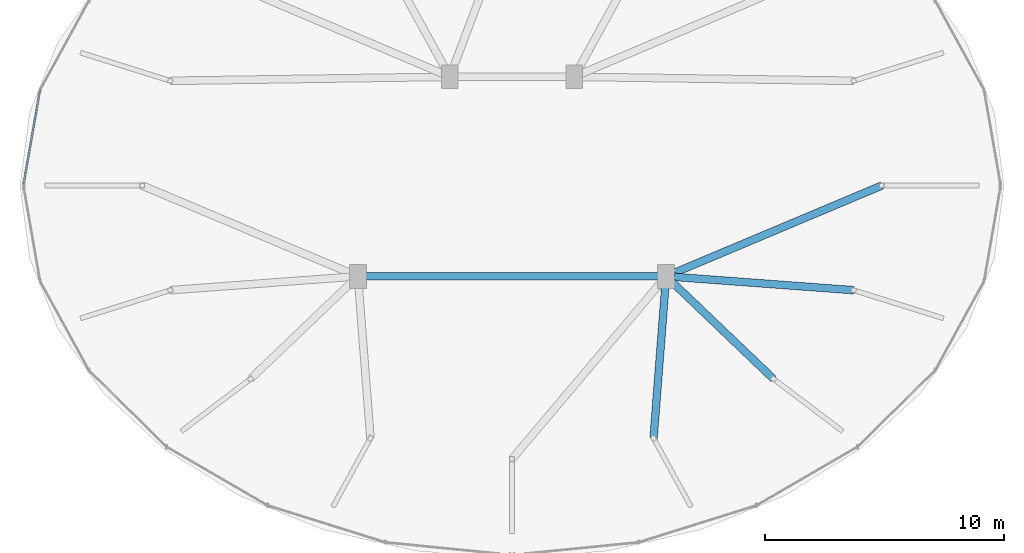
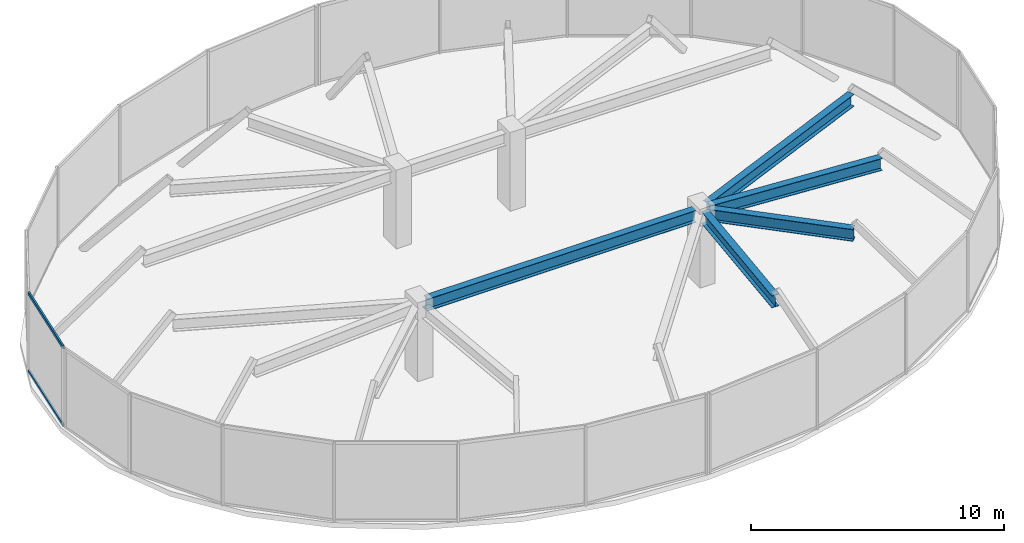
# One storey, part 6 of 14: 5 beams, 2 members, 1 element without a shape of its own.
"""IFC4 building model written with IfcOpenShell, lengths in metres."""

from ifc_helpers import new_model, si_unit, direction, frame, origin, origin_2d, place, context, subcontext, project, spatial, hollow_rectangle, i_section, extrude, material, material_profile, profile_set, type_object, element, aggregate, save


model = new_model("IFC4")

# Units and contexts
model_context = context("Model", 3, precision=1e-05, world=origin(), true_north=direction((0.0, 1.0)))
body_context = subcontext(model_context, "Body", "Model", "MODEL_VIEW")
ifc_project = project(units=[si_unit("LENGTHUNIT", "METRE"), si_unit("AREAUNIT", "SQUARE_METRE"), si_unit("VOLUMEUNIT", "CUBIC_METRE"), si_unit("PLANEANGLEUNIT", "RADIAN"), si_unit("MASSUNIT", "GRAM", prefix="KILO")], contexts=[model_context])

# Site, building, storey
site_placement = place(None, origin())
site = spatial("IfcSite", under=ifc_project, at=site_placement, CompositionType="ELEMENT")
building_placement = place(site_placement, origin())
building = spatial("IfcBuilding", under=site, at=building_placement, Name="Vorneva Point Tower", CompositionType="ELEMENT")
storey_placement = place(building_placement, frame((0.0, 0.0, 299.199951171875)))
storey = spatial("IfcBuildingStorey", under=building, at=storey_placement, Name="C02", CompositionType="ELEMENT", Elevation=299.199951171875)

# Beams
ifc_material_1 = material(Name="Steel S355", Category="steel")
ifc_material_profile_1 = material_profile(ifc_material_1, i_section(OverallWidth=0.320068359375, OverallDepth=0.580078125, WebThickness=0.011962890625, FlangeThickness=0.01708984375, at=origin_2d()), Name="60Sh1")
ifc_profile_set_1 = profile_set([ifc_material_profile_1], Name="Steel S355")
beam_type = type_object("IfcBeamType", Name="BM-GRD-60Sh1", PredefinedType="USERDEFINED", material=ifc_profile_set_1)
beam_1_placement = place(storey_placement, frame((53.48193359375, 26.0, 3.260009765625), z_axis=(-0.92173882954, -0.387811204218, 0.0), x_axis=(0.387811204218, -0.92173882954, 0.0)))
element("IfcBeam", 1, at=beam_1_placement, inside=storey, type_object=beam_type, Name="C02 Radial Primary Girder 01", ObjectType="GIRDER", PredefinedType="USERDEFINED", context=body_context, shape_type="SweptSolid", body=[
    extrude(i_section(OverallWidth=0.320068359375, OverallDepth=0.580078125, WebThickness=0.011962890625, FlangeThickness=0.01708984375, at=origin_2d()), origin(), (0.0, 0.0, 1.0), 9.458740234375),
])
beam_2_placement = place(storey_placement, frame((43.9248046875, 15.421630859375, 3.260009765625), z_axis=(0.077225466191, 0.997013654556, 0.0), x_axis=(-0.997013654556, 0.077225466191, 0.0)))
element("IfcBeam", 2, at=beam_2_placement, inside=storey, type_object=beam_type, Name="C02 Radial Primary Girder 14", ObjectType="GIRDER", PredefinedType="USERDEFINED", context=body_context, shape_type="SweptSolid", body=[
    extrude(i_section(OverallWidth=0.320068359375, OverallDepth=0.580078125, WebThickness=0.011962890625, FlangeThickness=0.01708984375, at=origin_2d()), origin(), (0.0, 0.0, 1.0), 6.458740234375),
])
beam_3_placement = place(storey_placement, frame((48.947509765625, 17.903564453125, 3.260009765625), z_axis=(-0.723094379214, 0.690749244479, 0.0), x_axis=(-0.690749244479, -0.723094379214, 0.0)))
element("IfcBeam", 3, at=beam_3_placement, inside=storey, type_object=beam_type, Name="C02 Radial Primary Girder 15", ObjectType="GIRDER", PredefinedType="USERDEFINED", context=body_context, shape_type="SweptSolid", body=[
    extrude(i_section(OverallWidth=0.320068359375, OverallDepth=0.580078125, WebThickness=0.011962890625, FlangeThickness=0.01708984375, at=origin_2d()), origin(), (0.0, 0.0, 1.0), 5.8798828125),
])
beam_4_placement = place(storey_placement, frame((52.303466796875, 21.618408203125, 3.260009765625), z_axis=(-0.997269964173, 0.073841848285, 0.0), x_axis=(-0.073841848285, -0.997269964173, 0.0)))
element("IfcBeam", 4, at=beam_4_placement, inside=storey, type_object=beam_type, Name="C02 Radial Primary Girder 16", ObjectType="GIRDER", PredefinedType="USERDEFINED", context=body_context, shape_type="SweptSolid", body=[
    extrude(i_section(OverallWidth=0.320068359375, OverallDepth=0.580078125, WebThickness=0.011962890625, FlangeThickness=0.01708984375, at=origin_2d()), origin(), (0.0, 0.0, 1.0), 7.534912109375),
])
beam_5_placement = place(storey_placement, frame((31.8701171875, 22.199951171875, 3.260009765625), z_axis=(1.0, 0.0, 0.0), x_axis=(0.0, 1.0, 0.0)))
element("IfcBeam", 5, at=beam_5_placement, inside=storey, type_object=beam_type, Name="C02 Core Tie Girder CT1", ObjectType="GIRDER", PredefinedType="USERDEFINED", context=body_context, shape_type="SweptSolid", body=[
    extrude(i_section(OverallWidth=0.320068359375, OverallDepth=0.580078125, WebThickness=0.011962890625, FlangeThickness=0.01708984375, at=origin_2d()), origin(), (0.0, 0.0, 1.0), 12.259765625),
])

# Curtain wall, members
ifc_material_2 = material(Name="Pale anodised aluminium", Category="aluminium")
curtain_wall_type = type_object("IfcCurtainWallType", Name="CW-CRN-SYS", PredefinedType="NOTDEFINED", material=ifc_material_2)
curtain_wall_placement = place(storey_placement, origin())
curtain_wall = element("IfcCurtainWall", 6, at=curtain_wall_placement, inside=storey, type_object=curtain_wall_type, Name="C02 Unitised Curtain Wall CW-C02-Q2", PredefinedType="NOTDEFINED")
ifc_material_profile_2 = material_profile(ifc_material_2, hollow_rectangle(XDim=0.074951171875, YDim=0.14990234375, WallThickness=0.00390625, at=origin_2d()), Name="AL-TRN 150x75x4")
ifc_profile_set_2 = profile_set([ifc_material_profile_2], Name="Pale anodised aluminium")
member_type = type_object("IfcMemberType", Name="CW-TRN-150", PredefinedType="USERDEFINED", material=ifc_profile_set_2)
member_1_placement = place(storey_placement, frame((18.244873046875, 30.001220703125, 0.02001953125), z_axis=(-0.17157407442, -0.985171222168, 0.0), x_axis=(0.985171222168, -0.17157407442, 0.0)))
member_1 = element("IfcMember", 7, at=member_1_placement, type_object=member_type, Name="CW-C02-Q2 Transom 06.1", ObjectType="TRANSOM", PredefinedType="USERDEFINED", context=body_context, shape_type="SweptSolid", body=[
    extrude(hollow_rectangle(XDim=0.074951171875, YDim=0.14990234375, WallThickness=0.00390625, at=origin_2d()), origin(), (0.0, 0.0, 1.0), 3.9814453125),
])
member_2_placement = place(storey_placement, frame((18.244873046875, 30.001220703125, 3.780029296875), z_axis=(-0.17157407442, -0.985171222168, 0.0), x_axis=(0.985171222168, -0.17157407442, 0.0)))
member_2 = element("IfcMember", 8, at=member_2_placement, type_object=member_type, Name="CW-C02-Q2 Transom 06.2", ObjectType="TRANSOM", PredefinedType="USERDEFINED", context=body_context, shape_type="SweptSolid", body=[
    extrude(hollow_rectangle(XDim=0.074951171875, YDim=0.14990234375, WallThickness=0.00390625, at=origin_2d()), origin(), (0.0, 0.0, 1.0), 3.9814453125),
])
aggregate(curtain_wall, [member_1, member_2])

save(model, "model.ifc")
